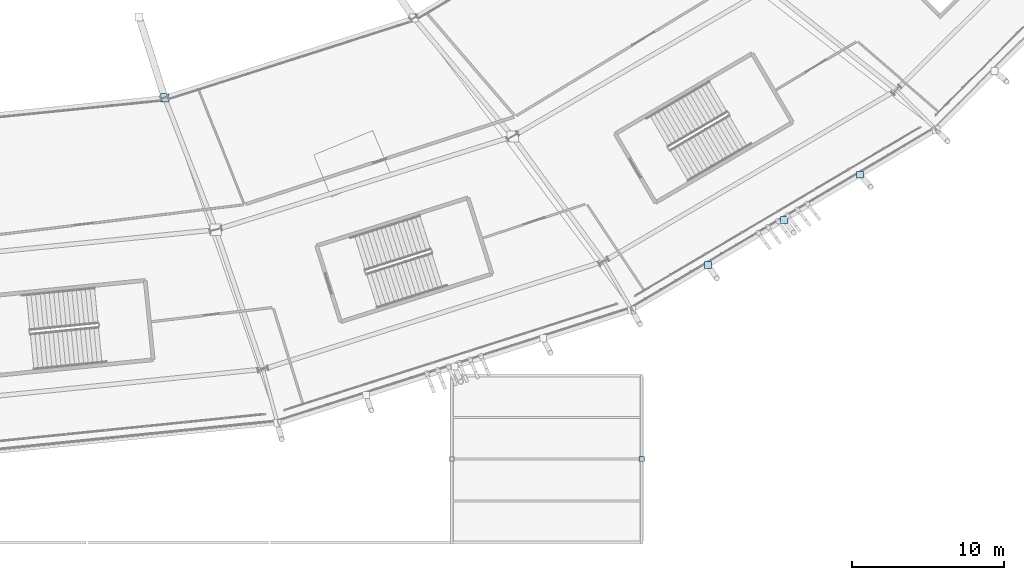
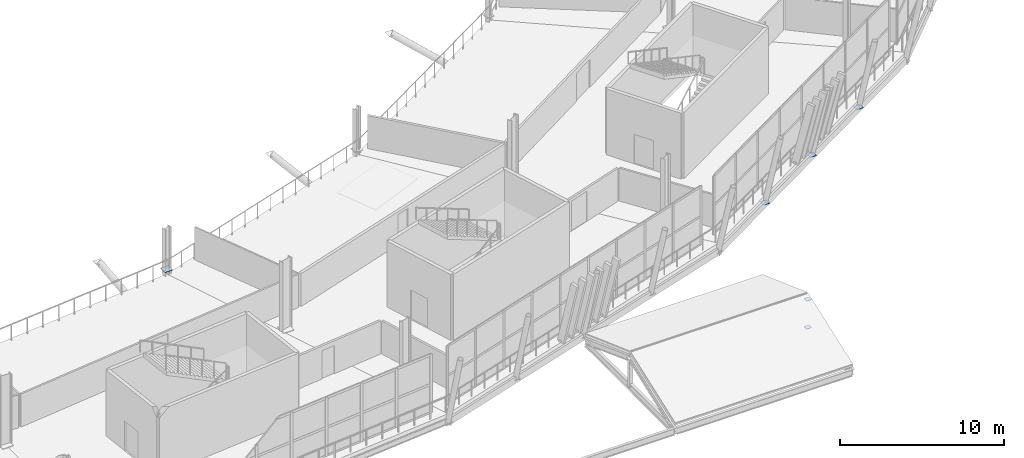
# One storey, part 103 of 168: 6 plates.
"""IFC4 building model written with IfcOpenShell, lengths in metres."""

from ifc_helpers import new_model, si_unit, direction, frame, origin, origin_2d, place, context, subcontext, project, spatial, rectangle, extrude, material, layer, layer_set, type_object, element, save


model = new_model("IFC4")

# Units and contexts
model_context = context("Model", 3, precision=1e-05, world=origin(), true_north=direction((0.0, 1.0)))
body_context = subcontext(model_context, "Body", "Model", "MODEL_VIEW")
ifc_project = project(units=[si_unit("LENGTHUNIT", "METRE"), si_unit("AREAUNIT", "SQUARE_METRE"), si_unit("VOLUMEUNIT", "CUBIC_METRE"), si_unit("PLANEANGLEUNIT", "RADIAN"), si_unit("MASSUNIT", "GRAM", prefix="KILO")], contexts=[model_context])

# Site, building, storey
site_placement = place(None, origin())
site = spatial("IfcSite", under=ifc_project, at=site_placement, CompositionType="ELEMENT")
building_placement = place(site_placement, origin())
building = spatial("IfcBuilding", under=site, at=building_placement, Name="Zlatoyarsky Gate Stadium", CompositionType="ELEMENT")
storey_placement = place(building_placement, frame((0.0, 0.0, 15.60009765625)))
storey = spatial("IfcBuildingStorey", under=building, at=storey_placement, Name="L03", CompositionType="ELEMENT", Elevation=15.60009765625)

# Plates
ifc_material = material(Name="Steel S355", Category="steel")
ifc_layer = layer(ifc_material, 0.02392578125)
ifc_layer_set = layer_set([ifc_layer], Name="Steel S355")
plate_type = type_object("IfcPlateType", Name="STEEL HOLLOW CHORD SPLICE SHEET 24", PredefinedType="SHEET", material=ifc_layer_set)
plate_placement = place(storey_placement, frame((128.599609375, 29.288818359375, 0.337890625), z_axis=(0.0, 0.0, 1.0), x_axis=(1.0, 0.0, 0.0)))
element("IfcPlate", 1, at=plate_placement, inside=storey, type_object=plate_type, Name="Node closure plate ND-SP1 NCAP-UTOPB-19", PredefinedType="SHEET", context=body_context, shape_type="SweptSolid", body=[
    extrude(rectangle(XDim=0.5400390625, YDim=0.5400390625, at=origin_2d()), origin(), (0.0, 0.0, 1.0), 0.02392578125),
])
for number, where, z_axis, x_axis, name in (
    (2, (164.35791015625, 18.27392578125, -0.5419921875), (0.0, 0.0, 1.0), (1.0, 0.0, 0.0), "Node closure plate ND-SP1 NCAP-RIB-20-1-1T"),
    (3, (169.364990234375, 21.24169921875, -0.5419921875), (0.0, 0.0, 1.0), (1.0, 0.0, 0.0), "Node closure plate ND-SP1 NCAP-RIB-20-2-1T"),
    (4, (174.371826171875, 24.209716796875, -0.5419921875), (0.0, 0.0, 1.0), (1.0, 0.0, 0.0), "Node closure plate ND-SP1 NCAP-RIB-20-3-1T"),
):
    element("IfcPlate", number, at=place(storey_placement, frame(where, z_axis=z_axis, x_axis=x_axis)), inside=storey, type_object=plate_type, Name=name, PredefinedType="SHEET", context=body_context, shape_type="SweptSolid", body=[
        extrude(rectangle(XDim=0.43994140625, YDim=0.43994140625, at=origin_2d()), origin(), (0.0, 0.0, 1.0), 0.02392578125),
    ])
for number, where, z_axis, x_axis, name in (
    (5, (160.0, 5.5, -0.5419921875), (0.0, 0.0, 1.0), (1.0, 0.0, 0.0), "Node closure plate ND-SP1 NCAP-KP-V3_SOUTH_E-2A"),
    (6, (160.0, 5.5, 1.537841796875), (0.0, 0.0, 1.0), (1.0, 0.0, 0.0), "Node closure plate ND-SP1 NCAP-KP-V3_SOUTH_E-2B"),
):
    element("IfcPlate", number, at=place(storey_placement, frame(where, z_axis=z_axis, x_axis=x_axis)), inside=storey, type_object=plate_type, Name=name, PredefinedType="SHEET", context=body_context, shape_type="SweptSolid", body=[
        extrude(rectangle(XDim=0.340087890625, YDim=0.340087890625, at=origin_2d()), origin(), (0.0, 0.0, 1.0), 0.02392578125),
    ])

save(model, "model.ifc")
